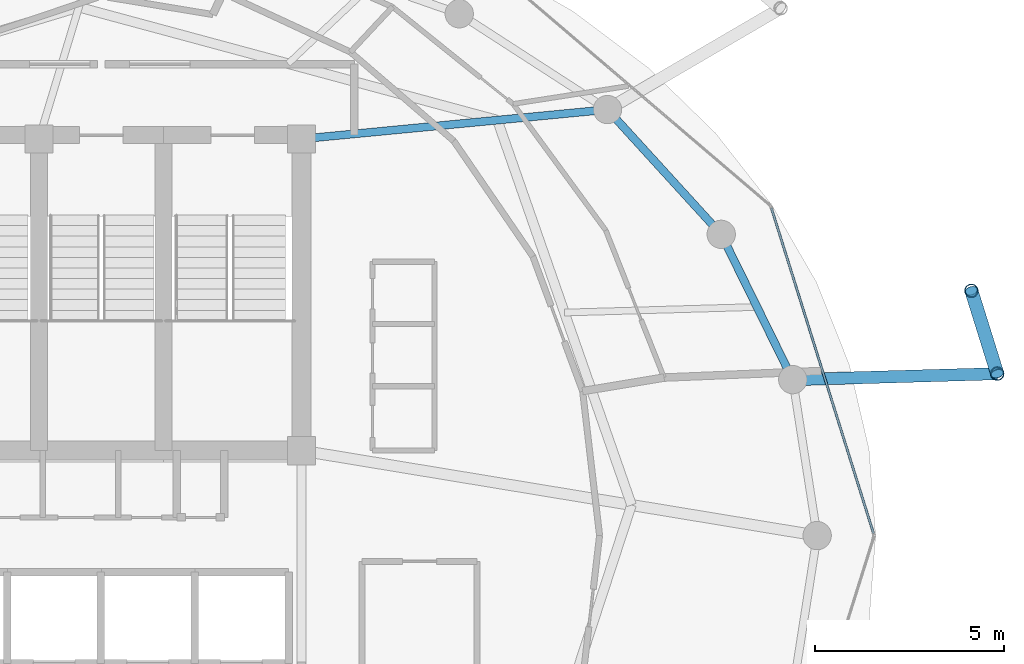
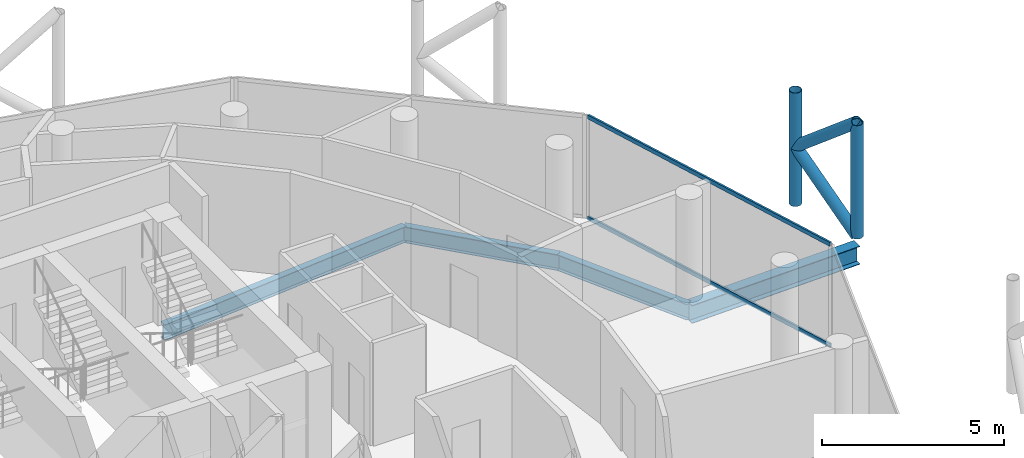
# One storey, part 13 of 24: 6 members, 4 beams, 1 element without a shape of its own.
"""IFC4 building model written with IfcOpenShell, lengths in metres."""

from ifc_helpers import new_model, si_unit, direction, frame, origin, origin_2d, place, context, subcontext, project, spatial, hollow_rectangle, hollow_circle, i_section, extrude, material, layer, layer_set, material_profile, profile_set, type_object, element, aggregate, save


model = new_model("IFC4")

# Units and contexts
model_context = context("Model", 3, precision=1e-05, world=origin(), true_north=direction((0.0, 1.0)))
body_context = subcontext(model_context, "Body", "Model", "MODEL_VIEW")
ifc_project = project(units=[si_unit("LENGTHUNIT", "METRE"), si_unit("AREAUNIT", "SQUARE_METRE"), si_unit("VOLUMEUNIT", "CUBIC_METRE"), si_unit("PLANEANGLEUNIT", "RADIAN"), si_unit("MASSUNIT", "GRAM", prefix="KILO")], contexts=[model_context])

# Site, building, storey
site_placement = place(None, origin())
site = spatial("IfcSite", under=ifc_project, at=site_placement, CompositionType="ELEMENT")
building_placement = place(site_placement, origin())
building = spatial("IfcBuilding", under=site, at=building_placement, Name="Nuhasar Tower", CompositionType="ELEMENT")
storey_placement = place(building_placement, frame((0.0, 0.0, 297.39990234375)))
storey = spatial("IfcBuildingStorey", under=building, at=storey_placement, Name="L74", CompositionType="ELEMENT", Elevation=297.39990234375)

# Beams
ifc_material_1 = material(Name="Steel S355", Category="steel")
ifc_material_profile_1 = material_profile(ifc_material_1, i_section(OverallWidth=0.208984375, OverallDepth=0.528076171875, WebThickness=0.009521484375, FlangeThickness=0.01318359375, at=origin_2d()), Name="W21X55")
ifc_profile_set_1 = profile_set([ifc_material_profile_1], Name="Steel S355")
beam_type_1 = type_object("IfcBeamType", Name="BM-RAD-W21X55", PredefinedType="BEAM", material=ifc_profile_set_1)
beam_1_placement = place(storey_placement, frame((44.300048828125, 37.300048828125, -0.52392578125), z_axis=(0.99542073054, 0.095590633496, 0.0), x_axis=(-0.095590633496, 0.99542073054, 0.0)))
element("IfcBeam", 1, at=beam_1_placement, inside=storey, type_object=beam_type_1, Name="L74 Radial Floor Girder 05", PredefinedType="BEAM", context=body_context, shape_type="SweptSolid", body=[
    extrude(i_section(OverallWidth=0.208984375, OverallDepth=0.528076171875, WebThickness=0.009521484375, FlangeThickness=0.01318359375, at=origin_2d()), origin(), (0.0, 0.0, 1.0), 8.13720703125),
])
ifc_material_profile_2 = material_profile(ifc_material_1, i_section(OverallWidth=0.2099609375, OverallDepth=0.537109375, WebThickness=0.010986328125, FlangeThickness=0.017333984375, at=origin_2d()), Name="W21X68")
ifc_profile_set_2 = profile_set([ifc_material_profile_2], Name="Steel S355")
beam_type_2 = type_object("IfcBeamType", Name="BM-RING-W21X68", PredefinedType="SPANDREL", material=ifc_profile_set_2)
beam_2_placement = place(storey_placement, frame((57.303955078125, 30.927978515625, -0.52880859375), z_axis=(-0.441533119295, 0.897244952377, 0.0), x_axis=(-0.897244952377, -0.441533119295, 0.0)))
element("IfcBeam", 2, at=beam_2_placement, inside=storey, type_object=beam_type_2, Name="L74 Perimeter Ring Spandrel 02", PredefinedType="SPANDREL", context=body_context, shape_type="SweptSolid", body=[
    extrude(i_section(OverallWidth=0.2099609375, OverallDepth=0.537109375, WebThickness=0.010986328125, FlangeThickness=0.017333984375, at=origin_2d()), origin(), (0.0, 0.0, 1.0), 4.28759765625),
])
beam_3_placement = place(storey_placement, frame((55.410888671875, 34.77490234375, -0.52880859375), z_axis=(-0.673686302939, 0.739017432293, 0.0), x_axis=(-0.739017432293, -0.673686302939, 0.0)))
element("IfcBeam", 3, at=beam_3_placement, inside=storey, type_object=beam_type_2, Name="L74 Perimeter Ring Spandrel 03", PredefinedType="SPANDREL", context=body_context, shape_type="SweptSolid", body=[
    extrude(i_section(OverallWidth=0.2099609375, OverallDepth=0.537109375, WebThickness=0.010986328125, FlangeThickness=0.017333984375, at=origin_2d()), origin(), (0.0, 0.0, 1.0), 4.469482421875),
])
ifc_material_profile_3 = material_profile(ifc_material_1, i_section(OverallWidth=0.323974609375, OverallDepth=0.611083984375, WebThickness=0.0126953125, FlangeThickness=0.01904296875, at=origin_2d()), Name="W24X104")
ifc_profile_set_3 = profile_set([ifc_material_profile_3], Name="Steel S355")
beam_type_3 = type_object("IfcBeamType", Name="BM-TIE-W24X104", PredefinedType="BEAM", material=ifc_profile_set_3)
beam_4_placement = place(storey_placement, frame((57.303955078125, 30.927978515625, -0.56591796875), z_axis=(0.999574661214, 0.029163275875, 0.0), x_axis=(-0.029163275875, 0.999574661214, 0.0)))
element("IfcBeam", 4, at=beam_4_placement, inside=storey, type_object=beam_type_3, Name="L74 Exoskeleton Node Tie Beam 01", PredefinedType="BEAM", context=body_context, shape_type="SweptSolid", body=[
    extrude(i_section(OverallWidth=0.323974609375, OverallDepth=0.611083984375, WebThickness=0.0126953125, FlangeThickness=0.01904296875, at=origin_2d()), origin(), (0.0, 0.0, 1.0), 5.416259765625),
])

# Curtain wall, members
ifc_material_2 = material(Name="Aluminium 6063-T6", Category="aluminium")
ifc_layer = layer(ifc_material_2, 0.18994140625)
ifc_layer_set = layer_set([ifc_layer], Name="Aluminium 6063-T6")
curtain_wall_type = type_object("IfcCurtainWallType", Name="CW-Z4-PEN", PredefinedType="NOTDEFINED", material=ifc_layer_set)
curtain_wall_placement = place(storey_placement, origin())
curtain_wall = element("IfcCurtainWall", 5, at=curtain_wall_placement, inside=storey, type_object=curtain_wall_type, Name="L74 Unitised Curtain Wall 01", PredefinedType="NOTDEFINED")
ifc_material_profile_4 = material_profile(ifc_material_2, hollow_rectangle(XDim=0.06005859375, YDim=0.135009765625, WallThickness=0.00439453125, at=origin_2d()), Name="CWT-5")
ifc_profile_set_4 = profile_set([ifc_material_profile_4], Name="Aluminium 6063-T6")
member_type_1 = type_object("IfcMemberType", Name="CW-TRN-S5", PredefinedType="USERDEFINED", material=ifc_profile_set_4)
member_1_placement = place(storey_placement, frame((59.442138671875, 26.857177734375, 0.030029296875), z_axis=(-0.29956014073, 0.954077419335, 0.0), x_axis=(-0.954077419335, -0.29956014073, 0.0)))
member_1 = element("IfcMember", 6, at=member_1_placement, type_object=member_type_1, Name="CW-Z4 transom 1.1", ObjectType="TRANSOM", PredefinedType="USERDEFINED", context=body_context, shape_type="SweptSolid", body=[
    extrude(hollow_rectangle(XDim=0.06005859375, YDim=0.135009765625, WallThickness=0.00439453125, at=origin_2d()), origin(), (0.0, 0.0, 1.0), 9.0302734375),
])
member_2_placement = place(storey_placement, frame((59.442138671875, 26.857177734375, 3.420166015625), z_axis=(-0.29956014073, 0.954077419335, 0.0), x_axis=(-0.954077419335, -0.29956014073, 0.0)))
member_2 = element("IfcMember", 7, at=member_2_placement, type_object=member_type_1, Name="CW-Z4 transom 1.2", ObjectType="TRANSOM", PredefinedType="USERDEFINED", context=body_context, shape_type="SweptSolid", body=[
    extrude(hollow_rectangle(XDim=0.06005859375, YDim=0.135009765625, WallThickness=0.00439453125, at=origin_2d()), origin(), (0.0, 0.0, 1.0), 9.0302734375),
])
aggregate(curtain_wall, [member_1, member_2])

# Members
ifc_material_3 = material(Name="Steel S460", Category="steel")
ifc_material_profile_5 = material_profile(ifc_material_3, hollow_circle(Radius=0.177734375, WallThickness=0.015869140625, at=origin_2d()), Name="HSS355.6X15.9")
ifc_profile_set_5 = profile_set([ifc_material_profile_5], Name="Steel S460")
member_type_2 = type_object("IfcMemberType", Name="EXO-BRONZE-356", PredefinedType="BRACE", material=ifc_profile_set_5)
for number, where, z_axis, x_axis, name in (
    (8, (62.718017578125, 31.0859375, 0.0), (0.0, 0.0, 1.0), (1.0, 0.0, 0.0), "L74 Exoskeleton Chord Column EC-01A"),
    (9, (62.032958984375, 33.281005859375, 0.0), (0.0, 0.0, 1.0), (1.0, 0.0, 0.0), "L74 Exoskeleton Chord Column EC-01B"),
):
    element("IfcMember", number, at=place(storey_placement, frame(where, z_axis=z_axis, x_axis=x_axis)), inside=storey, type_object=member_type_2, Name=name, PredefinedType="BRACE", context=body_context, shape_type="SweptSolid", body=[
        extrude(hollow_circle(Radius=0.177734375, WallThickness=0.015869140625, at=origin_2d()), origin(), (0.0, 0.0, 1.0), 3.800048828125),
    ])
for number, where, z_axis, x_axis, name in (
    (10, (62.718017578125, 31.0859375, 0.0), (-0.22965555433, 0.735863538482, 0.636995430987), (-0.954591372974, -0.297918295247, 0.0), "L74 Bronze Diagrid Brace W1-01"),
    (11, (62.032958984375, 33.281005859375, 1.900146484375), (0.229667527485, -0.735901902929, 0.636946792192), (0.954591372974, 0.297918295247, 0.0), "L74 Bronze Diagrid Brace W2-01"),
):
    element("IfcMember", number, at=place(storey_placement, frame(where, z_axis=z_axis, x_axis=x_axis)), inside=storey, type_object=member_type_2, Name=name, PredefinedType="BRACE", context=body_context, shape_type="SweptSolid", body=[
        extrude(hollow_circle(Radius=0.177734375, WallThickness=0.015869140625, at=origin_2d()), origin(), (0.0, 0.0, 1.0), 2.98291015625),
    ])

save(model, "model.ifc")
